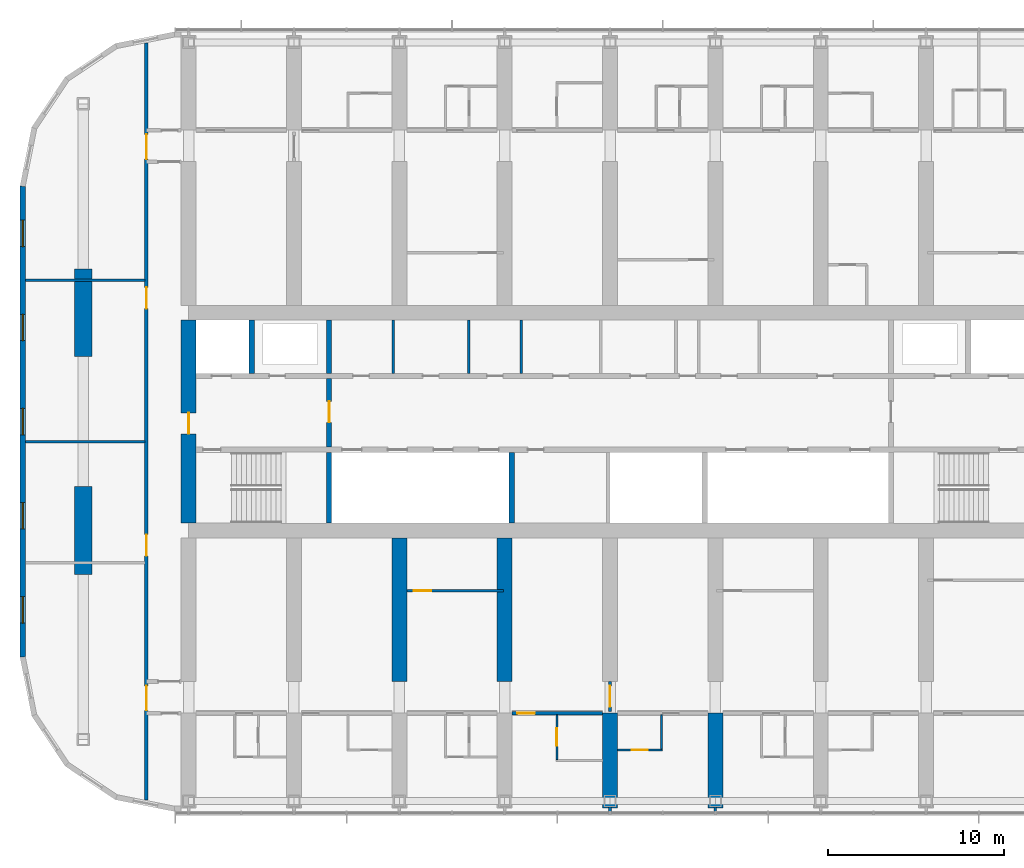
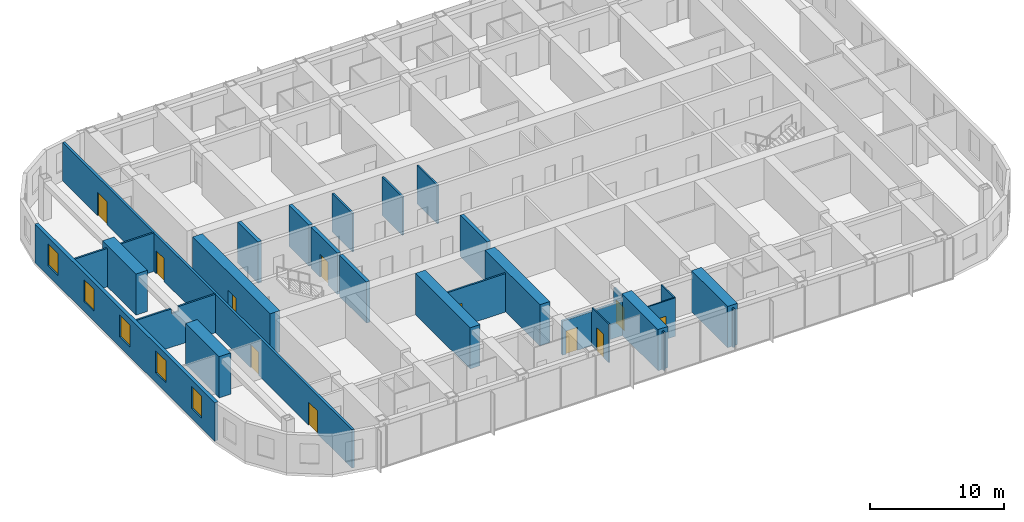
# One storey, part 11 of 22: 27 walls, 11 doors, 5 windows, 16 openings.
"""IFC4 building model written with IfcOpenShell, lengths in metres."""

from ifc_helpers import new_model, si_unit, direction, frame, frame_2d, origin, place, context, subcontext, project, spatial, polyline, rectangle, outline, extrude, material, layer, layer_set, type_object, element, fill, save


model = new_model("IFC4")

# Units and contexts
model_context = context("Model", 3, precision=1e-05, world=origin(), true_north=direction((0.0, 1.0)))
body_context = subcontext(model_context, "Body", "Model", "MODEL_VIEW")
ifc_project = project(units=[si_unit("LENGTHUNIT", "METRE"), si_unit("AREAUNIT", "SQUARE_METRE"), si_unit("VOLUMEUNIT", "CUBIC_METRE"), si_unit("PLANEANGLEUNIT", "RADIAN"), si_unit("MASSUNIT", "GRAM", prefix="KILO")], contexts=[model_context])

# Site, building, storey
site_placement = place(None, origin())
site = spatial("IfcSite", under=ifc_project, at=site_placement, CompositionType="ELEMENT")
building_placement = place(site_placement, origin())
building = spatial("IfcBuilding", under=site, at=building_placement, Name="Orbita Commons", CompositionType="ELEMENT")
storey_placement = place(building_placement, frame((0.0, 0.0, 156.10009765625)))
storey = spatial("IfcBuildingStorey", under=building, at=storey_placement, Name="L38", CompositionType="ELEMENT", Elevation=156.10009765625)

# Wall
ifc_material_1 = material(Name="Concrete C50/60", Category="concrete")
ifc_layer_1 = layer(ifc_material_1, 0.300048828125)
ifc_layer_set_1 = layer_set([ifc_layer_1], Name="Concrete C50/60")
wall_type_1 = type_object("IfcWallType", Name="Core inner wall 300 C50/60", PredefinedType="SHEAR", material=ifc_layer_set_1)
wall_1_placement = place(storey_placement, frame((26.0, 26.22509765625, 0.0), z_axis=(0.0, 0.0, 1.0), x_axis=(0.0, 1.0, 0.0)))
element("IfcWall", 1, at=wall_1_placement, inside=storey, type_object=wall_type_1, Name="Stair S1 wall L38", PredefinedType="SHEAR", context=body_context, shape_type="SweptSolid", body=[
    extrude(rectangle(XDim=4.02490234375, YDim=0.300048828125, at=frame_2d((2.012451171875, 0.0))), origin(), (0.0, 0.0, 1.0), 3.75),
])

# Wall, opening, door
wall_2_placement = place(storey_placement, frame((26.0, 30.550048828125, 0.0), z_axis=(0.0, 0.0, 1.0), x_axis=(0.0, 1.0, 0.0)))
wall_2 = element("IfcWall", 2, at=wall_2_placement, inside=storey, type_object=wall_type_1, Name="Firefighting lobby wall west L38", PredefinedType="SHEAR", context=body_context, shape_type="SweptSolid", body=[
    extrude(rectangle(XDim=3.89990234375, YDim=0.300048828125, at=frame_2d((1.949951171875, 0.0))), origin(), (0.0, 0.0, 1.0), 3.75),
])
opening_1_placement = place(wall_2_placement, frame((1.39990234375, 0.0, 0.0)))
opening_1 = element("IfcOpeningElement", 3, at=opening_1_placement, cuts=wall_2, Name="Opening D04", PredefinedType="OPENING", context=body_context, shape_type="SweptSolid", body=[
    extrude(rectangle(XDim=1.199951171875, YDim=2.10009765625, at=frame_2d((0.60009765625, 1.050048828125))), frame((0.0, 0.159912109375, 0.0), z_axis=(0.0, -1.0, 0.0), x_axis=(1.0, 0.0, 0.0)), (0.0, 0.0, 1.0), 0.320068359375),
])
ifc_material_2 = material(Name="Steel-faced fire door leaf", Category="steel")
door_type_1 = type_object("IfcDoorType", Name="Service door 20 min 1200x2100", OperationType="SINGLE_SWING_LEFT", PredefinedType="DOOR", material=ifc_material_2)
door_1_placement = place(opening_1_placement, origin())
door_1 = element("IfcDoor", 4, at=door_1_placement, inside=storey, type_object=door_type_1, Name="Lift lobby door west", OperationType="SINGLE_SWING_LEFT", OverallHeight=2.10009765625, OverallWidth=1.199951171875, PredefinedType="DOOR", context=body_context, shape_type="SweptSolid", body=[
    extrude(rectangle(XDim=1.199951171875, YDim=2.10009765625, at=frame_2d((0.60009765625, 1.050048828125))), frame((0.0, 0.02490234375, 0.0), z_axis=(0.0, -1.0, 0.0), x_axis=(1.0, 0.0, 0.0)), (0.0, 0.0, 1.0), 0.050048828125),
])
fill(opening_1, door_1)

# Walls
for number, where, z_axis, x_axis, name in (
    (5, (21.60009765625, 34.75, 0.0), (0.0, 0.0, 1.0), (0.0, 1.0, 0.0), "Firefighting lift FL1 shaft wall L38"),
    (6, (26.0, 34.75, 0.0), (0.0, 0.0, 1.0), (0.0, 1.0, 0.0), "Riser wall west L38"),
):
    element("IfcWall", number, at=place(storey_placement, frame(where, z_axis=z_axis, x_axis=x_axis)), inside=storey, type_object=wall_type_1, Name=name, PredefinedType="SHEAR", context=body_context, shape_type="SweptSolid", body=[
        extrude(rectangle(XDim=3.02490234375, YDim=0.300048828125, at=frame_2d((1.512451171875, 0.0))), origin(), (0.0, 0.0, 1.0), 3.75),
    ])
wall_3_placement = place(storey_placement, frame((36.39990234375, 26.22509765625, 0.0), z_axis=(0.0, 0.0, 1.0), x_axis=(0.0, 1.0, 0.0)))
element("IfcWall", 7, at=wall_3_placement, inside=storey, type_object=wall_type_1, Name="Hoistway division wall L38", PredefinedType="SHEAR", context=body_context, shape_type="SweptSolid", body=[
    extrude(rectangle(XDim=4.02490234375, YDim=0.300048828125, at=frame_2d((2.012451171875, 0.0))), origin(), (0.0, 0.0, 1.0), 3.75),
])
ifc_material_3 = material(Name="Concrete blockwork", Category="masonry")
ifc_layer_2 = layer(ifc_material_3, 0.14990234375)
ifc_layer_set_2 = layer_set([ifc_layer_2], Name="Concrete blockwork")
wall_type_2 = type_object("IfcWallType", Name="Core partition 150 blockwork", PredefinedType="SOLIDWALL", material=ifc_layer_set_2)
for number, where, z_axis, x_axis, name in (
    (8, (29.65087890625, 34.75, 0.0), (0.0, 0.0, 1.0), (0.0, 1.0, 0.0), "Core partition 150 blockwork L38"),
    (9, (33.9462890625, 34.75, 0.0), (0.0, 0.0, 1.0), (0.0, 1.0, 0.0), "Core partition 150 blockwork L38"),
    (10, (36.9462890625, 34.75, 0.0), (0.0, 0.0, 1.0), (0.0, 1.0, 0.0), "Core partition 150 blockwork L38"),
):
    element("IfcWall", number, at=place(storey_placement, frame(where, z_axis=z_axis, x_axis=x_axis)), inside=storey, type_object=wall_type_2, Name=name, PredefinedType="SOLIDWALL", context=body_context, shape_type="SweptSolid", body=[
        extrude(rectangle(XDim=3.02490234375, YDim=0.14990234375, at=frame_2d((1.512451171875, 0.0))), origin(), (0.0, 0.0, 1.0), 3.5),
    ])

# Wall, opening, door
ifc_material_4 = material(Name="Concrete C50/60", Category="concrete")
ifc_layer_3 = layer(ifc_material_4, 0.85009765625)
ifc_layer_set_3 = layer_set([ifc_layer_3], Name="Concrete C50/60")
wall_type_3 = type_object("IfcWallType", Name="Core wall 850 C50/60", PredefinedType="SHEAR", material=ifc_layer_set_3)
wall_4_placement = place(storey_placement, frame((18.0, 26.22509765625, 0.0), z_axis=(0.0, 0.0, 1.0), x_axis=(0.0, 1.0, 0.0)))
wall_4 = element("IfcWall", 11, at=wall_4_placement, inside=storey, type_object=wall_type_3, Name="Core end wall west L38", PredefinedType="SHEAR", context=body_context, shape_type="SweptSolid", body=[
    extrude(rectangle(XDim=11.5498046875, YDim=0.85009765625, at=frame_2d((5.77490234375, 0.0))), origin(), (0.0, 0.0, 1.0), 3.75),
])
opening_2_placement = place(wall_4_placement, frame((5.074951171875, 0.0, 0.0)))
opening_2 = element("IfcOpeningElement", 12, at=opening_2_placement, cuts=wall_4, Name="Opening D01", PredefinedType="OPENING", context=body_context, shape_type="SweptSolid", body=[
    extrude(rectangle(XDim=1.199951171875, YDim=2.10009765625, at=frame_2d((0.60009765625, 1.050048828125))), frame((0.0, 0.43505859375, 0.0), z_axis=(0.0, -1.0, 0.0), x_axis=(1.0, 0.0, 0.0)), (0.0, 0.0, 1.0), 0.8701171875),
])
ifc_material_5 = material(Name="Steel-faced fire door leaf", Category="steel")
door_type_2 = type_object("IfcDoorType", Name="Fire door 90 min 1200x2100", OperationType="SINGLE_SWING_LEFT", PredefinedType="DOOR", material=ifc_material_5)
door_2_placement = place(opening_2_placement, origin())
door_2 = element("IfcDoor", 13, at=door_2_placement, inside=storey, type_object=door_type_2, Name="Firefighting lobby west door", OperationType="SINGLE_SWING_LEFT", OverallHeight=2.10009765625, OverallWidth=1.199951171875, PredefinedType="DOOR", context=body_context, shape_type="SweptSolid", body=[
    extrude(rectangle(XDim=1.199951171875, YDim=2.10009765625, at=frame_2d((0.60009765625, 1.050048828125))), frame((0.0, 0.02490234375, 0.0), z_axis=(0.0, -1.0, 0.0), x_axis=(1.0, 0.0, 0.0)), (0.0, 0.0, 1.0), 0.050048828125),
])
fill(opening_2, door_2)

ifc_material_6 = material(Name="Concrete blockwork", Category="masonry")
ifc_layer_4 = layer(ifc_material_6, 0.199951171875)
ifc_layer_set_4 = layer_set([ifc_layer_4], Name="Concrete blockwork")
wall_type_4 = type_object("IfcWallType", Name="Corridor wall 200 blockwork", PredefinedType="SOLIDWALL", material=ifc_layer_set_4)
wall_5_placement = place(storey_placement, frame((36.425048828125, 15.39990234375, 0.0), z_axis=(0.0, 0.0, 1.0), x_axis=(1.0, 0.0, 0.0)))
wall_5 = element("IfcWall", 14, at=wall_5_placement, inside=storey, type_object=wall_type_4, Name="Corridor wall 200 blockwork L38", PredefinedType="SOLIDWALL", context=body_context, shape_type="SweptSolid", body=[
    extrude(outline(polyline([(0.0, 0.0), (5.14990234375, 0.0), (5.14990234375, 3.099853515625), (0.0, 3.099853515625), (0.0, 0.0)])), frame((0.0, 0.10009765625, 0.0), z_axis=(0.0, -1.0, 0.0), x_axis=(1.0, 0.0, 0.0)), (0.0, 0.0, 1.0), 0.199951171875),
])
opening_3_placement = place(wall_5_placement, frame((0.300048828125, 0.0, 0.0)))
opening_3 = element("IfcOpeningElement", 15, at=opening_3_placement, cuts=wall_5, Name="Opening D06", PredefinedType="OPENING", context=body_context, shape_type="SweptSolid", body=[
    extrude(rectangle(XDim=1.0, YDim=2.10009765625, at=frame_2d((0.5, 1.050048828125))), frame((0.0, 0.10986328125, 0.0), z_axis=(0.0, -1.0, 0.0), x_axis=(1.0, 0.0, 0.0)), (0.0, 0.0, 1.0), 0.219970703125),
])
ifc_material_7 = material(Name="Steel-faced fire door leaf", Category="steel")
door_type_3 = type_object("IfcDoorType", Name="Corridor door 20 min 1000x2100", OperationType="SINGLE_SWING_LEFT", PredefinedType="DOOR", material=ifc_material_7)
door_3_placement = place(opening_3_placement, origin())
door_3 = element("IfcDoor", 16, at=door_3_placement, inside=storey, type_object=door_type_3, Name="Accessible bedroom L38-S06 door", OperationType="SINGLE_SWING_LEFT", OverallHeight=2.10009765625, OverallWidth=1.0, PredefinedType="DOOR", context=body_context, shape_type="SweptSolid", body=[
    extrude(rectangle(XDim=1.0, YDim=2.10009765625, at=frame_2d((0.5, 1.050048828125))), frame((0.0, 0.02490234375, 0.0), z_axis=(0.0, -1.0, 0.0), x_axis=(1.0, 0.0, 0.0)), (0.0, 0.0, 1.0), 0.050048828125),
])
fill(opening_3, door_3)

# Wall, openings, doors
wall_6_placement = place(storey_placement, frame((15.60009765625, 10.4462890625, 0.0), z_axis=(0.0, 0.0, 1.0), x_axis=(0.0, 1.0, 0.0)))
wall_6 = element("IfcWall", 17, at=wall_6_placement, inside=storey, type_object=wall_type_4, Name="Corridor wall 200 blockwork L38", PredefinedType="SOLIDWALL", context=body_context, shape_type="SweptSolid", body=[
    extrude(rectangle(XDim=43.107421875, YDim=0.199951171875, at=frame_2d((21.5537109375, 0.0))), origin(), (0.0, 0.0, 1.0), 3.5),
])
opening_4_placement = place(wall_6_placement, frame((13.913818359375, 0.0, 0.0)))
opening_4 = element("IfcOpeningElement", 18, at=opening_4_placement, cuts=wall_6, Name="Opening D15", PredefinedType="OPENING", context=body_context, shape_type="SweptSolid", body=[
    extrude(rectangle(XDim=1.199951171875, YDim=2.10009765625, at=frame_2d((0.60009765625, 1.050048828125))), frame((0.0, 0.10986328125, 0.0), z_axis=(0.0, -1.0, 0.0), x_axis=(1.0, 0.0, 0.0)), (0.0, 0.0, 1.0), 0.219970703125),
])
opening_5_placement = place(wall_6_placement, frame((27.993896484375, 0.0, 0.0)))
opening_5 = element("IfcOpeningElement", 19, at=opening_5_placement, cuts=wall_6, Name="Opening D15", PredefinedType="OPENING", context=body_context, shape_type="SweptSolid", body=[
    extrude(rectangle(XDim=1.199951171875, YDim=2.10009765625, at=frame_2d((0.60009765625, 1.050048828125))), frame((0.0, 0.10986328125, 0.0), z_axis=(0.0, -1.0, 0.0), x_axis=(1.0, 0.0, 0.0)), (0.0, 0.0, 1.0), 0.219970703125),
])
opening_6_placement = place(wall_6_placement, frame((5.103759765625, 0.0, 0.0)))
opening_6 = element("IfcOpeningElement", 20, at=opening_6_placement, cuts=wall_6, Name="Opening D08", PredefinedType="OPENING", context=body_context, shape_type="SweptSolid", body=[
    extrude(rectangle(XDim=1.39990234375, YDim=2.10009765625, at=frame_2d((0.699951171875, 1.050048828125))), frame((0.0, 0.10986328125, 0.0), z_axis=(0.0, -1.0, 0.0), x_axis=(1.0, 0.0, 0.0)), (0.0, 0.0, 1.0), 0.219970703125),
])
opening_7_placement = place(wall_6_placement, frame((36.50390625, 0.0, 0.0)))
opening_7 = element("IfcOpeningElement", 21, at=opening_7_placement, cuts=wall_6, Name="Opening D08", PredefinedType="OPENING", context=body_context, shape_type="SweptSolid", body=[
    extrude(rectangle(XDim=1.39990234375, YDim=2.10009765625, at=frame_2d((0.699951171875, 1.050048828125))), frame((0.0, 0.10986328125, 0.0), z_axis=(0.0, -1.0, 0.0), x_axis=(1.0, 0.0, 0.0)), (0.0, 0.0, 1.0), 0.219970703125),
])
ifc_material_8 = material(Name="Steel-faced fire door leaf", Category="steel")
door_type_4 = type_object("IfcDoorType", Name="Corridor door 20 min 1200x2100", OperationType="SINGLE_SWING_LEFT", PredefinedType="DOOR", material=ifc_material_8)
door_4_placement = place(opening_4_placement, origin())
door_4 = element("IfcDoor", 22, at=door_4_placement, inside=storey, type_object=door_type_4, Name="Reading room door", OperationType="SINGLE_SWING_LEFT", OverallHeight=2.10009765625, OverallWidth=1.199951171875, PredefinedType="DOOR", context=body_context, shape_type="SweptSolid", body=[
    extrude(rectangle(XDim=1.199951171875, YDim=2.10009765625, at=frame_2d((0.60009765625, 1.050048828125))), frame((0.0, 0.02490234375, 0.0), z_axis=(0.0, -1.0, 0.0), x_axis=(1.0, 0.0, 0.0)), (0.0, 0.0, 1.0), 0.050048828125),
])
fill(opening_4, door_4)
door_5_placement = place(opening_5_placement, origin())
door_5 = element("IfcDoor", 23, at=door_5_placement, inside=storey, type_object=door_type_4, Name="Study hall door", OperationType="SINGLE_SWING_LEFT", OverallHeight=2.10009765625, OverallWidth=1.199951171875, PredefinedType="DOOR", context=body_context, shape_type="SweptSolid", body=[
    extrude(rectangle(XDim=1.199951171875, YDim=2.10009765625, at=frame_2d((0.60009765625, 1.050048828125))), frame((0.0, 0.02490234375, 0.0), z_axis=(0.0, -1.0, 0.0), x_axis=(1.0, 0.0, 0.0)), (0.0, 0.0, 1.0), 0.050048828125),
])
fill(opening_5, door_5)
ifc_material_9 = material(Name="Steel-faced fire door leaf", Category="steel")
door_type_5 = type_object("IfcDoorType", Name="Double corridor door 20 min 1400x2100", OperationType="DOUBLE_DOOR_SINGLE_SWING", PredefinedType="DOOR", material=ifc_material_9)
door_6_placement = place(opening_6_placement, origin())
door_6 = element("IfcDoor", 24, at=door_6_placement, inside=storey, type_object=door_type_5, Name="Lounge doors", OperationType="DOUBLE_DOOR_SINGLE_SWING", OverallHeight=2.10009765625, OverallWidth=1.39990234375, PredefinedType="DOOR", context=body_context, shape_type="SweptSolid", body=[
    extrude(rectangle(XDim=1.39990234375, YDim=2.10009765625, at=frame_2d((0.699951171875, 1.050048828125))), frame((0.0, 0.02490234375, 0.0), z_axis=(0.0, -1.0, 0.0), x_axis=(1.0, 0.0, 0.0)), (0.0, 0.0, 1.0), 0.050048828125),
])
fill(opening_6, door_6)
door_7_placement = place(opening_7_placement, origin())
door_7 = element("IfcDoor", 25, at=door_7_placement, inside=storey, type_object=door_type_5, Name="Lounge doors", OperationType="DOUBLE_DOOR_SINGLE_SWING", OverallHeight=2.10009765625, OverallWidth=1.39990234375, PredefinedType="DOOR", context=body_context, shape_type="SweptSolid", body=[
    extrude(rectangle(XDim=1.39990234375, YDim=2.10009765625, at=frame_2d((0.699951171875, 1.050048828125))), frame((0.0, 0.02490234375, 0.0), z_axis=(0.0, -1.0, 0.0), x_axis=(1.0, 0.0, 0.0)), (0.0, 0.0, 1.0), 0.050048828125),
])
fill(opening_7, door_7)

# Walls
ifc_material_10 = material(Name="Concrete C50/60", Category="concrete")
ifc_layer_5 = layer(ifc_material_10, 0.85009765625)
ifc_layer_set_5 = layer_set([ifc_layer_5], Name="Concrete C50/60")
wall_type_5 = type_object("IfcWallType", Name="Cross wall 850 C50/60", PredefinedType="SHEAR", material=ifc_layer_set_5)
for number, where, z_axis, x_axis, name in (
    (26, (30.0, 17.199951171875, 0.0), (0.0, 0.0, 1.0), (0.0, 1.0, 0.0), "Cross wall 6 south inner L38"),
    (27, (36.0, 17.199951171875, 0.0), (0.0, 0.0, 1.0), (0.0, 1.0, 0.0), "Cross wall 7 south inner L38"),
):
    element("IfcWall", number, at=place(storey_placement, frame(where, z_axis=z_axis, x_axis=x_axis)), inside=storey, type_object=wall_type_5, Name=name, PredefinedType="SHEAR", context=body_context, shape_type="SweptSolid", body=[
        extrude(rectangle(XDim=8.175048828125, YDim=0.85009765625, at=frame_2d((4.08740234375, 0.0))), origin(), (0.0, 0.0, 1.0), 3.75),
    ])
for number, where, z_axis, x_axis, name in (
    (28, (42.0, 10.0, 0.0), (0.0, 0.0, 1.0), (0.0, 1.0, 0.0), "Cross wall 8 south outer L38"),
    (29, (48.0, 10.0, 0.0), (0.0, 0.0, 1.0), (0.0, 1.0, 0.0), "Cross wall 9 south outer L38"),
):
    element("IfcWall", number, at=place(storey_placement, frame(where, z_axis=z_axis, x_axis=x_axis)), inside=storey, type_object=wall_type_5, Name=name, PredefinedType="SHEAR", context=body_context, shape_type="SweptSolid", body=[
        extrude(rectangle(XDim=5.39990234375, YDim=0.85009765625, at=frame_2d((2.699951171875, 0.0))), origin(), (0.0, 0.0, 1.0), 3.75),
    ])

# Wall, opening, door
ifc_material_11 = material(Name="Moisture-resistant plasterboard on steel studs", Category="steel")
ifc_layer_6 = layer(ifc_material_11, 0.10009765625)
ifc_layer_set_6 = layer_set([ifc_layer_6], Name="Moisture-resistant plasterboard on steel studs")
wall_type_6 = type_object("IfcWallType", Name="En-suite partition 100", PredefinedType="PARTITIONING", material=ifc_layer_set_6)
wall_7_placement = place(storey_placement, frame((38.97509765625, 12.75, 0.0), z_axis=(0.0, 0.0, 1.0), x_axis=(0.0, 1.0, 0.0)))
wall_7 = element("IfcWall", 30, at=wall_7_placement, inside=storey, type_object=wall_type_6, Name="En-suite partition 100 L38", PredefinedType="PARTITIONING", context=body_context, shape_type="SweptSolid", body=[
    extrude(outline(polyline([(0.0, 0.0), (2.550048828125, 0.0), (2.550048828125, 3.099853515625), (2.501953125, 3.099853515625), (2.5, 3.5), (0.0, 3.5), (0.0, 0.0)])), frame((0.0, 0.050048828125, 0.0), z_axis=(0.0, -1.0, 0.0), x_axis=(1.0, 0.0, 0.0)), (0.0, 0.0, 1.0), 0.10009765625),
])
opening_8_placement = place(wall_7_placement, frame((0.800048828125, 0.0, 0.0)))
opening_8 = element("IfcOpeningElement", 31, at=opening_8_placement, cuts=wall_7, Name="Opening D13", PredefinedType="OPENING", context=body_context, shape_type="SweptSolid", body=[
    extrude(rectangle(XDim=1.0, YDim=2.10009765625, at=frame_2d((0.5, 1.050048828125))), frame((0.0, 0.06005859375, 0.0), z_axis=(0.0, -1.0, 0.0), x_axis=(1.0, 0.0, 0.0)), (0.0, 0.0, 1.0), 0.1201171875),
])
ifc_material_12 = material(Name="Laminated timber door leaf", Category="wood")
door_type_6 = type_object("IfcDoorType", Name="En-suite door 1000x2100", OperationType="SINGLE_SWING_RIGHT", PredefinedType="DOOR", material=ifc_material_12)
door_8_placement = place(opening_8_placement, origin())
door_8 = element("IfcDoor", 32, at=door_8_placement, inside=storey, type_object=door_type_6, Name="Accessible shower room L38-S06 door", OperationType="SINGLE_SWING_RIGHT", OverallHeight=2.10009765625, OverallWidth=1.0, PredefinedType="DOOR", context=body_context, shape_type="SweptSolid", body=[
    extrude(rectangle(XDim=1.0, YDim=2.10009765625, at=frame_2d((0.5, 1.050048828125))), frame((0.0, 0.02490234375, 0.0), z_axis=(0.0, -1.0, 0.0), x_axis=(1.0, 0.0, 0.0)), (0.0, 0.0, 1.0), 0.050048828125),
])
fill(opening_8, door_8)

wall_8_placement = place(storey_placement, frame((44.97509765625, 13.300048828125, 0.0), z_axis=(0.0, 0.0, 1.0), x_axis=(-1.0, 0.0, 0.0)))
wall_8 = element("IfcWall", 33, at=wall_8_placement, inside=storey, type_object=wall_type_6, Name="En-suite partition 100 L38", PredefinedType="PARTITIONING", context=body_context, shape_type="SweptSolid", body=[
    extrude(rectangle(XDim=2.550048828125, YDim=0.10009765625, at=frame_2d((1.27490234375, 0.0))), origin(), (0.0, 0.0, 1.0), 3.5),
])
opening_9_placement = place(wall_8_placement, frame((0.824951171875, 0.0, 0.0)))
opening_9 = element("IfcOpeningElement", 34, at=opening_9_placement, cuts=wall_8, Name="Opening D09", PredefinedType="OPENING", context=body_context, shape_type="SweptSolid", body=[
    extrude(rectangle(XDim=0.89990234375, YDim=2.10009765625, at=frame_2d((0.449951171875, 1.050048828125))), frame((0.0, 0.06005859375, 0.0), z_axis=(0.0, -1.0, 0.0), x_axis=(1.0, 0.0, 0.0)), (0.0, 0.0, 1.0), 0.1201171875),
])
ifc_material_13 = material(Name="Laminated timber door leaf", Category="wood")
door_type_7 = type_object("IfcDoorType", Name="En-suite door 900x2100", OperationType="SINGLE_SWING_RIGHT", PredefinedType="DOOR", material=ifc_material_13)
door_9_placement = place(opening_9_placement, origin())
door_9 = element("IfcDoor", 35, at=door_9_placement, inside=storey, type_object=door_type_7, Name="En-suite L38-S08 door", OperationType="SINGLE_SWING_RIGHT", OverallHeight=2.10009765625, OverallWidth=0.89990234375, PredefinedType="DOOR", context=body_context, shape_type="SweptSolid", body=[
    extrude(rectangle(XDim=0.89990234375, YDim=2.10009765625, at=frame_2d((0.449951171875, 1.050048828125))), frame((0.0, 0.02490234375, 0.0), z_axis=(0.0, -1.0, 0.0), x_axis=(1.0, 0.0, 0.0)), (0.0, 0.0, 1.0), 0.050048828125),
])
fill(opening_9, door_9)

# Walls
wall_9_placement = place(storey_placement, frame((44.925048828125, 13.35009765625, 0.0), z_axis=(0.0, 0.0, 1.0), x_axis=(0.0, 1.0, 0.0)))
element("IfcWall", 36, at=wall_9_placement, inside=storey, type_object=wall_type_6, Name="En-suite partition 100 L38", PredefinedType="PARTITIONING", context=body_context, shape_type="SweptSolid", body=[
    extrude(outline(polyline([(0.0, 0.0), (1.949951171875, 0.0), (1.949951171875, 3.099853515625), (1.902099609375, 3.099853515625), (1.89990234375, 3.5), (0.0, 3.5), (0.0, 0.0)])), frame((0.0, 0.050048828125, 0.0), z_axis=(0.0, -1.0, 0.0), x_axis=(1.0, 0.0, 0.0)), (0.0, 0.0, 1.0), 0.10009765625),
])
ifc_material_14 = material(Name="Concrete C50/60", Category="concrete")
ifc_layer_7 = layer(ifc_material_14, 1.0)
ifc_layer_set_7 = layer_set([ifc_layer_7], Name="Concrete C50/60")
wall_type_7 = type_object("IfcWallType", Name="End pier 1000x5000 C50/60", PredefinedType="SHEAR", material=ifc_layer_set_7)
for number, where, z_axis, x_axis, name in (
    (37, (12.0, 23.300048828125, 0.0), (0.0, 0.0, 1.0), (0.0, 1.0, 0.0), "End pier 3/C L38"),
    (38, (12.0, 35.699951171875, 0.0), (0.0, 0.0, 1.0), (0.0, 1.0, 0.0), "End pier 3/D L38"),
):
    element("IfcWall", number, at=place(storey_placement, frame(where, z_axis=z_axis, x_axis=x_axis)), inside=storey, type_object=wall_type_7, Name=name, PredefinedType="SHEAR", context=body_context, shape_type="SweptSolid", body=[
        extrude(rectangle(XDim=5.0, YDim=1.0, at=frame_2d((2.5, 0.0))), origin(), (0.0, 0.0, 1.0), 3.75),
    ])

# Wall, opening, door
ifc_material_15 = material(Name="Gypsum plasterboard on steel studs", Category="steel")
ifc_layer_8 = layer(ifc_material_15, 0.14990234375)
ifc_layer_set_8 = layer_set([ifc_layer_8], Name="Gypsum plasterboard on steel studs")
wall_type_8 = type_object("IfcWallType", Name="Partition 150 plasterboard", PredefinedType="PARTITIONING", material=ifc_layer_set_8)
wall_10_placement = place(storey_placement, frame((30.425048828125, 22.375, 0.0), z_axis=(0.0, 0.0, 1.0), x_axis=(1.0, 0.0, 0.0)))
wall_10 = element("IfcWall", 39, at=wall_10_placement, inside=storey, type_object=wall_type_8, Name="Partition 150 plasterboard L38", PredefinedType="PARTITIONING", context=body_context, shape_type="SweptSolid", body=[
    extrude(rectangle(XDim=5.5, YDim=0.14990234375, at=frame_2d((2.75, 0.0))), origin(), (0.0, 0.0, 1.0), 3.5),
])
opening_10_placement = place(wall_10_placement, frame((0.39990234375, 0.0, 0.0)))
opening_10 = element("IfcOpeningElement", 40, at=opening_10_placement, cuts=wall_10, Name="Opening D17", PredefinedType="OPENING", context=body_context, shape_type="SweptSolid", body=[
    extrude(rectangle(XDim=1.0, YDim=2.10009765625, at=frame_2d((0.5, 1.050048828125))), frame((0.0, 0.0849609375, 0.0), z_axis=(0.0, -1.0, 0.0), x_axis=(1.0, 0.0, 0.0)), (0.0, 0.0, 1.0), 0.169921875),
])
ifc_material_16 = material(Name="Steel-faced fire door leaf", Category="steel")
door_type_8 = type_object("IfcDoorType", Name="Shaft access door 90 min 1000x2100", OperationType="SINGLE_SWING_LEFT", PredefinedType="DOOR", material=ifc_material_16)
door_10_placement = place(opening_10_placement, origin())
door_10 = element("IfcDoor", 41, at=door_10_placement, inside=storey, type_object=door_type_8, Name="Ventilation plant room south L38-BDS30 door", OperationType="SINGLE_SWING_LEFT", OverallHeight=2.10009765625, OverallWidth=1.0, PredefinedType="DOOR", context=body_context, shape_type="SweptSolid", body=[
    extrude(rectangle(XDim=1.0, YDim=2.10009765625, at=frame_2d((0.5, 1.050048828125))), frame((0.0, 0.02490234375, 0.0), z_axis=(0.0, -1.0, 0.0), x_axis=(1.0, 0.0, 0.0)), (0.0, 0.0, 1.0), 0.050048828125),
])
fill(opening_10, door_10)

wall_11_placement = place(storey_placement, frame((42.0, 15.5, 0.0), z_axis=(0.0, 0.0, 1.0), x_axis=(0.0, 1.0, 0.0)))
wall_11 = element("IfcWall", 42, at=wall_11_placement, inside=storey, type_object=wall_type_8, Name="Partition 150 plasterboard L38", PredefinedType="PARTITIONING", context=body_context, shape_type="SweptSolid", body=[
    extrude(outline(polyline([(0.0, 0.0), (1.699951171875, 0.0), (1.699951171875, 3.099853515625), (0.0, 3.099853515625), (0.0, 0.0)])), frame((0.0, 0.074951171875, 0.0), z_axis=(0.0, -1.0, 0.0), x_axis=(1.0, 0.0, 0.0)), (0.0, 0.0, 1.0), 0.14990234375),
])
opening_11_placement = place(wall_11_placement, frame((0.25, 0.0, 0.0)))
opening_11 = element("IfcOpeningElement", 43, at=opening_11_placement, cuts=wall_11, Name="Opening D12", PredefinedType="OPENING", context=body_context, shape_type="SweptSolid", body=[
    extrude(rectangle(XDim=1.199951171875, YDim=2.10009765625, at=frame_2d((0.60009765625, 1.050048828125))), frame((0.0, 0.0849609375, 0.0), z_axis=(0.0, -1.0, 0.0), x_axis=(1.0, 0.0, 0.0)), (0.0, 0.0, 1.0), 0.169921875),
])
ifc_material_17 = material(Name="Steel-faced fire door leaf", Category="steel")
door_type_9 = type_object("IfcDoorType", Name="Double corridor door 20 min 1200x2100", OperationType="DOUBLE_DOOR_SINGLE_SWING", PredefinedType="DOOR", material=ifc_material_17)
door_11_placement = place(opening_11_placement, origin())
door_11 = element("IfcDoor", 44, at=door_11_placement, inside=storey, type_object=door_type_9, Name="Social spine south screen doors", OperationType="DOUBLE_DOOR_SINGLE_SWING", OverallHeight=2.10009765625, OverallWidth=1.199951171875, PredefinedType="DOOR", context=body_context, shape_type="SweptSolid", body=[
    extrude(rectangle(XDim=1.199951171875, YDim=2.10009765625, at=frame_2d((0.60009765625, 1.050048828125))), frame((0.0, 0.02490234375, 0.0), z_axis=(0.0, -1.0, 0.0), x_axis=(1.0, 0.0, 0.0)), (0.0, 0.0, 1.0), 0.050048828125),
])
fill(opening_11, door_11)

# Walls
wall_12_placement = place(storey_placement, frame((8.705078125, 30.85009765625, 0.0), z_axis=(0.0, 0.0, 1.0), x_axis=(1.0, 0.0, 0.0)))
element("IfcWall", 45, at=wall_12_placement, inside=storey, type_object=wall_type_8, Name="Partition 150 plasterboard L38", PredefinedType="PARTITIONING", context=body_context, shape_type="SweptSolid", body=[
    extrude(outline(polyline([(0.0, 0.0), (6.81982421875, 0.0), (6.820068359375, 3.5), (3.596923828125, 3.5), (3.594970703125, 3.0498046875), (2.9970703125, 3.0498046875), (2.9951171875, 3.5), (0.0, 3.5), (0.0, 0.0)])), frame((0.0, 0.074951171875, 0.0), z_axis=(0.0, -1.0, 0.0), x_axis=(1.0, 0.0, 0.0)), (0.0, 0.0, 1.0), 0.14990234375),
])
wall_13_placement = place(storey_placement, frame((8.705078125, 40.0400390625, 0.0), z_axis=(0.0, 0.0, 1.0), x_axis=(1.0, 0.0, 0.0)))
element("IfcWall", 46, at=wall_13_placement, inside=storey, type_object=wall_type_8, Name="Partition 150 plasterboard L38", PredefinedType="PARTITIONING", context=body_context, shape_type="SweptSolid", body=[
    extrude(rectangle(XDim=6.81982421875, YDim=0.14990234375, at=frame_2d((3.409912109375, 0.0))), origin(), (0.0, 0.0, 1.0), 3.5),
])
for number, where, z_axis, x_axis, name in (
    (47, (42.0, 10.050048828125, 0.0), (0.0, 0.0, 1.0), (0.0, -1.0, 0.0), "Partition 150 plasterboard L38"),
    (48, (48.0, 10.050048828125, 0.0), (0.0, 0.0, 1.0), (0.0, -1.0, 0.0), "Partition 150 plasterboard L38"),
):
    element("IfcWall", number, at=place(storey_placement, frame(where, z_axis=z_axis, x_axis=x_axis)), inside=storey, type_object=wall_type_8, Name=name, PredefinedType="PARTITIONING", context=body_context, shape_type="SweptSolid", body=[
        extrude(rectangle(XDim=0.239990234375, YDim=0.14990234375, at=frame_2d((0.1201171875, 0.0))), origin(), (0.0, 0.0, 1.0), 3.5),
    ])

# Wall, openings, windows
ifc_material_18 = material(Name="Precast concrete C40/50, white board-marked finish", Category="concrete")
ifc_layer_9 = layer(ifc_material_18, 0.300048828125)
ifc_layer_set_9 = layer_set([ifc_layer_9], Name="Precast concrete C40/50, white board-marked finish")
wall_type_9 = type_object("IfcWallType", Name="Precast concrete end shield 300", PredefinedType="SOLIDWALL", material=ifc_layer_set_9)
wall_14_placement = place(storey_placement, frame((8.550048828125, 45.39990234375, 0.0), z_axis=(0.0, 0.0, 1.0), x_axis=(0.0, -1.0, 0.0)))
wall_14 = element("IfcWall", 49, at=wall_14_placement, inside=storey, type_object=wall_type_9, Name="End shield W L38", PredefinedType="SOLIDWALL", context=body_context, shape_type="SweptSolid", body=[
    extrude(outline(polyline([(-0.014892578125, -0.14990234375), (26.814697265625, -0.14990234375), (26.784912109375, 0.14990234375), (0.014892578125, 0.14990234375), (-0.014892578125, -0.14990234375)])), origin(), (0.0, 0.0, 1.0), 3.5),
])
opening_12_placement = place(wall_14_placement, frame((1.929931640625, 0.0, 0.89990234375)))
opening_12 = element("IfcOpeningElement", 50, at=opening_12_placement, cuts=wall_14, Name="Opening W01", PredefinedType="OPENING", context=body_context, shape_type="SweptSolid", body=[
    extrude(rectangle(XDim=1.5, YDim=2.0, at=frame_2d((0.75, 1.0))), frame((0.0, 0.159912109375, 0.0), z_axis=(0.0, -1.0, 0.0), x_axis=(1.0, 0.0, 0.0)), (0.0, 0.0, 1.0), 0.320068359375),
])
opening_13_placement = place(wall_14_placement, frame((7.2900390625, 0.0, 0.89990234375)))
opening_13 = element("IfcOpeningElement", 51, at=opening_13_placement, cuts=wall_14, Name="Opening W01", PredefinedType="OPENING", context=body_context, shape_type="SweptSolid", body=[
    extrude(rectangle(XDim=1.5, YDim=2.0, at=frame_2d((0.75, 1.0))), frame((0.0, 0.159912109375, 0.0), z_axis=(0.0, -1.0, 0.0), x_axis=(1.0, 0.0, 0.0)), (0.0, 0.0, 1.0), 0.320068359375),
])
opening_14_placement = place(wall_14_placement, frame((12.64990234375, 0.0, 0.89990234375)))
opening_14 = element("IfcOpeningElement", 52, at=opening_14_placement, cuts=wall_14, Name="Opening W01", PredefinedType="OPENING", context=body_context, shape_type="SweptSolid", body=[
    extrude(rectangle(XDim=1.5, YDim=2.0, at=frame_2d((0.75, 1.0))), frame((0.0, 0.159912109375, 0.0), z_axis=(0.0, -1.0, 0.0), x_axis=(1.0, 0.0, 0.0)), (0.0, 0.0, 1.0), 0.320068359375),
])
opening_15_placement = place(wall_14_placement, frame((18.010009765625, 0.0, 0.89990234375)))
opening_15 = element("IfcOpeningElement", 53, at=opening_15_placement, cuts=wall_14, Name="Opening W01", PredefinedType="OPENING", context=body_context, shape_type="SweptSolid", body=[
    extrude(rectangle(XDim=1.5, YDim=2.0, at=frame_2d((0.75, 1.0))), frame((0.0, 0.159912109375, 0.0), z_axis=(0.0, -1.0, 0.0), x_axis=(1.0, 0.0, 0.0)), (0.0, 0.0, 1.0), 0.320068359375),
])
opening_16_placement = place(wall_14_placement, frame((23.3701171875, 0.0, 0.89990234375)))
opening_16 = element("IfcOpeningElement", 54, at=opening_16_placement, cuts=wall_14, Name="Opening W01", PredefinedType="OPENING", context=body_context, shape_type="SweptSolid", body=[
    extrude(rectangle(XDim=1.5, YDim=2.0, at=frame_2d((0.75, 1.0))), frame((0.0, 0.159912109375, 0.0), z_axis=(0.0, -1.0, 0.0), x_axis=(1.0, 0.0, 0.0)), (0.0, 0.0, 1.0), 0.320068359375),
])
ifc_material_19 = material(Name="Aluminium frame, clear double glazing", Category="aluminium")
window_type = type_object("IfcWindowType", Name="Deep-set window 1500x2000", PartitioningType="SINGLE_PANEL", PredefinedType="WINDOW", material=ifc_material_19)
window_1_placement = place(opening_12_placement, origin())
window_1 = element("IfcWindow", 55, at=window_1_placement, inside=storey, type_object=window_type, Name="Window L38-W 1", OverallHeight=2.0, OverallWidth=1.5, PartitioningType="SINGLE_PANEL", PredefinedType="WINDOW", context=body_context, shape_type="SweptSolid", body=[
    extrude(rectangle(XDim=1.5, YDim=2.0, at=frame_2d((0.75, 1.0))), frame((0.0, 0.030029296875, 0.0), z_axis=(0.0, -1.0, 0.0), x_axis=(1.0, 0.0, 0.0)), (0.0, 0.0, 1.0), 0.06005859375),
])
fill(opening_12, window_1)
window_2_placement = place(opening_13_placement, origin())
window_2 = element("IfcWindow", 56, at=window_2_placement, inside=storey, type_object=window_type, Name="Window L38-W 2", OverallHeight=2.0, OverallWidth=1.5, PartitioningType="SINGLE_PANEL", PredefinedType="WINDOW", context=body_context, shape_type="SweptSolid", body=[
    extrude(rectangle(XDim=1.5, YDim=2.0, at=frame_2d((0.75, 1.0))), frame((0.0, 0.030029296875, 0.0), z_axis=(0.0, -1.0, 0.0), x_axis=(1.0, 0.0, 0.0)), (0.0, 0.0, 1.0), 0.06005859375),
])
fill(opening_13, window_2)
window_3_placement = place(opening_14_placement, origin())
window_3 = element("IfcWindow", 57, at=window_3_placement, inside=storey, type_object=window_type, Name="Window L38-W 3", OverallHeight=2.0, OverallWidth=1.5, PartitioningType="SINGLE_PANEL", PredefinedType="WINDOW", context=body_context, shape_type="SweptSolid", body=[
    extrude(rectangle(XDim=1.5, YDim=2.0, at=frame_2d((0.75, 1.0))), frame((0.0, 0.030029296875, 0.0), z_axis=(0.0, -1.0, 0.0), x_axis=(1.0, 0.0, 0.0)), (0.0, 0.0, 1.0), 0.06005859375),
])
fill(opening_14, window_3)
window_4_placement = place(opening_15_placement, origin())
window_4 = element("IfcWindow", 58, at=window_4_placement, inside=storey, type_object=window_type, Name="Window L38-W 4", OverallHeight=2.0, OverallWidth=1.5, PartitioningType="SINGLE_PANEL", PredefinedType="WINDOW", context=body_context, shape_type="SweptSolid", body=[
    extrude(rectangle(XDim=1.5, YDim=2.0, at=frame_2d((0.75, 1.0))), frame((0.0, 0.030029296875, 0.0), z_axis=(0.0, -1.0, 0.0), x_axis=(1.0, 0.0, 0.0)), (0.0, 0.0, 1.0), 0.06005859375),
])
fill(opening_15, window_4)
window_5_placement = place(opening_16_placement, origin())
window_5 = element("IfcWindow", 59, at=window_5_placement, inside=storey, type_object=window_type, Name="Window L38-W 5", OverallHeight=2.0, OverallWidth=1.5, PartitioningType="SINGLE_PANEL", PredefinedType="WINDOW", context=body_context, shape_type="SweptSolid", body=[
    extrude(rectangle(XDim=1.5, YDim=2.0, at=frame_2d((0.75, 1.0))), frame((0.0, 0.030029296875, 0.0), z_axis=(0.0, -1.0, 0.0), x_axis=(1.0, 0.0, 0.0)), (0.0, 0.0, 1.0), 0.06005859375),
])
fill(opening_16, window_5)

save(model, "model.ifc")
